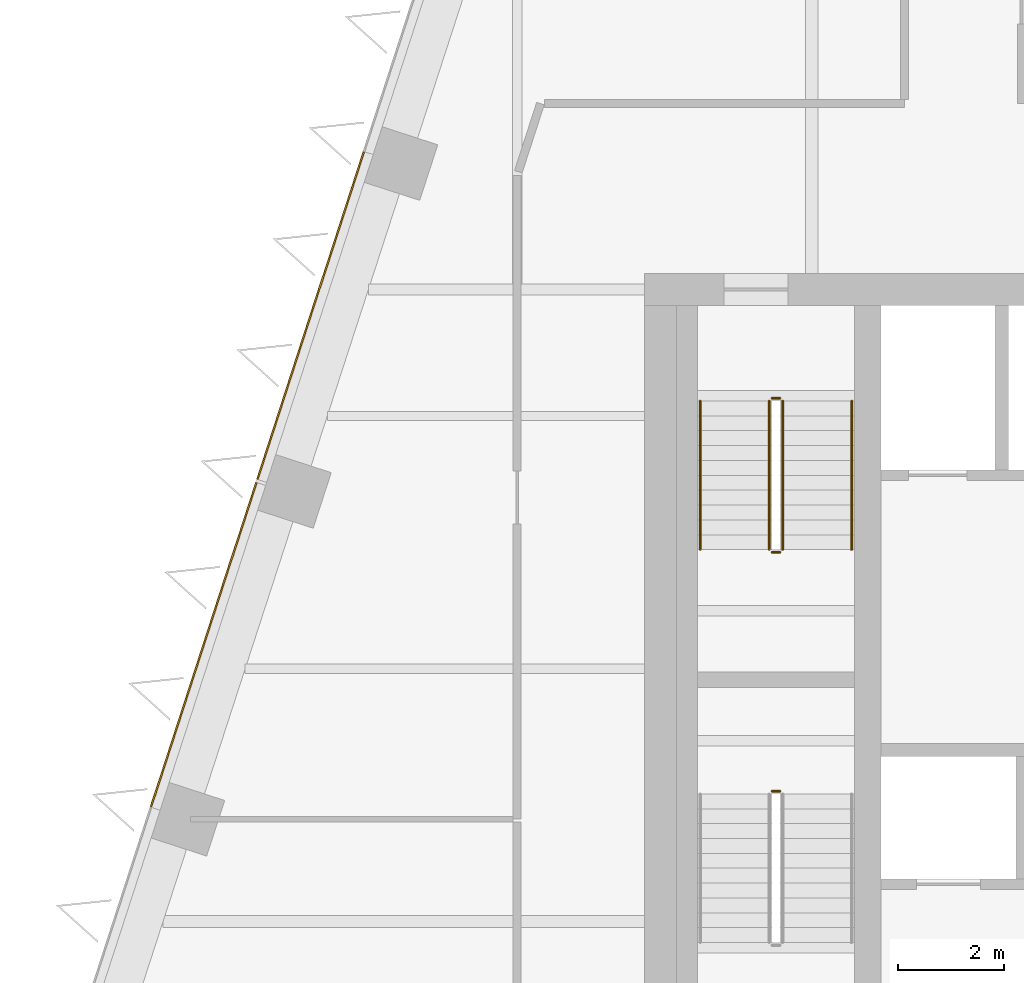
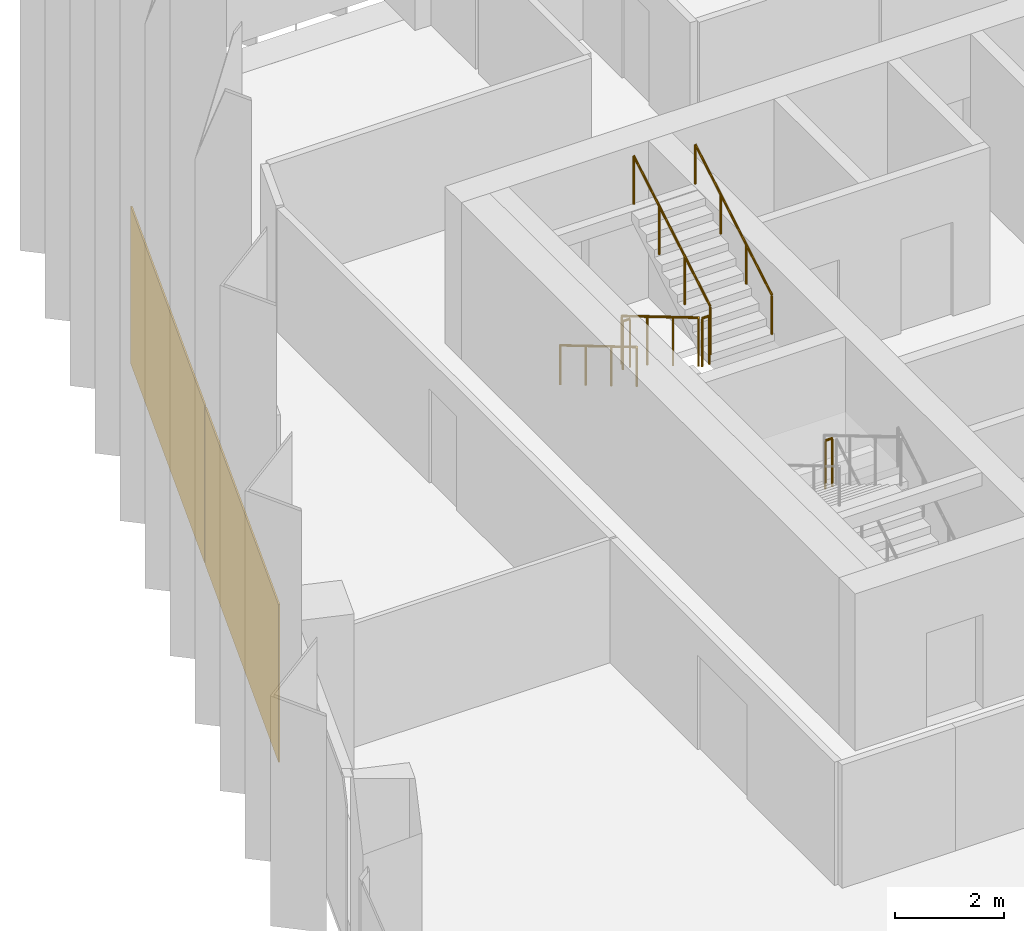
# One storey, part 14 of 18: 7 railings, 2 coverings, 1 element without a shape of its own.
"""IFC4 building model written with IfcOpenShell, lengths in metres."""

import ifcopenshell
import ifcopenshell.guid

model = None  # the IFC model being written
_history = None  # IfcOwnerHistory: only IFC2X3 demands one
_inside = {}  # id of a spatial element -> (the spatial element, [elements in it])
_under = {}  # id of a project, library or spatial element -> (it, [spatial elements below it])
_declared = {}  # id of a project -> (the project, [libraries it declares])
_typed = {}  # id of a type object -> (the type object, [elements of that type])
_made_of = {}  # id of a material, layer set ... -> (it, [elements and type objects made of it])


def new_model(schema):
    """Start an empty IFC model of exactly this schema.

    Asked for "IFC4X3", IfcOpenShell would pick the latest addendum, in which some entities
    have other attributes; the version numbers below select the first issue.
    IFC2X3 requires an IfcOwnerHistory on every rooted entity: one is made here for all.
    """
    global model, _history
    if schema == "IFC4X3":
        model = ifcopenshell.file(schema_version=(4, 3, 0, 0))
    else:
        model = ifcopenshell.file(schema=schema)
    _inside.clear()
    _under.clear()
    _declared.clear()
    _typed.clear()
    _made_of.clear()
    _history = None
    if model.schema == "IFC2X3":
        org = make("IfcOrganization", Name="unknown")
        user = make(
            "IfcPersonAndOrganization",
            ThePerson=make("IfcPerson", FamilyName="unknown"),
            TheOrganization=org,
        )
        app = make(
            "IfcApplication",
            ApplicationDeveloper=org,
            Version="unknown",
            ApplicationFullName="unknown",
            ApplicationIdentifier="unknown",
        )
        _history = make(
            "IfcOwnerHistory",
            OwningUser=user,
            OwningApplication=app,
            ChangeAction="ADDED",
            CreationDate=0,
        )
    return model


def make(cls, **values):
    """One entity of the class cls with the attributes given. An attribute that is None is left unset."""
    return model.create_entity(
        cls, **{name: value for name, value in values.items() if value is not None}
    )


def rooted(cls, **values):
    """An entity with a GlobalId (a new one), such as an element, a storey or a relation."""
    return make(cls, GlobalId=ifcopenshell.guid.new(), OwnerHistory=_history, **values)


def si_unit(unit_type, name, prefix=None):
    """IfcSIUnit, for example si_unit("LENGTHUNIT", "METRE", prefix="MILLI")."""
    return make("IfcSIUnit", UnitType=unit_type, Prefix=prefix, Name=name)


def assignment(units):
    """IfcUnitAssignment: the units of a project."""
    return None if units is None else make("IfcUnitAssignment", Units=units)


def point(xyz):
    """IfcCartesianPoint."""
    return None if xyz is None else make("IfcCartesianPoint", Coordinates=xyz)


def direction(xyz):
    """IfcDirection."""
    return None if xyz is None else make("IfcDirection", DirectionRatios=xyz)


def frame(location, z_axis=None, x_axis=None):
    """IfcAxis2Placement3D, a coordinate frame: its origin and axes. An axis left out is left unset."""
    return make(
        "IfcAxis2Placement3D",
        Location=point(location),
        Axis=direction(z_axis),
        RefDirection=direction(x_axis),
    )


def frame_2d(location, x_axis=None):
    """IfcAxis2Placement2D, a coordinate frame in the plane: its origin and x axis."""
    return make(
        "IfcAxis2Placement2D", Location=point(location), RefDirection=direction(x_axis)
    )


def origin():
    """The frame at (0, 0, 0) with its axes left unset."""
    return frame((0.0, 0.0, 0.0))


def origin_2d():
    """The frame at (0, 0) in the plane with its x axis left unset."""
    return frame_2d((0.0, 0.0))


def place(relative_to, where):
    """IfcLocalPlacement: puts the frame where relative to a parent placement (None: the world)."""
    return make(
        "IfcLocalPlacement", PlacementRelTo=relative_to, RelativePlacement=where
    )


def context(
    kind, dimensions, precision=None, world=None, true_north=None, identifier=None
):
    """IfcGeometricRepresentationContext, for example the 3D "Model" context."""
    return make(
        "IfcGeometricRepresentationContext",
        ContextIdentifier=identifier,
        ContextType=kind,
        CoordinateSpaceDimension=dimensions,
        Precision=precision,
        WorldCoordinateSystem=world,
        TrueNorth=true_north,
    )


def subcontext(parent, identifier, kind, view, scale=None):
    """IfcGeometricRepresentationSubContext, for example "Body" below "Model"."""
    return make(
        "IfcGeometricRepresentationSubContext",
        ContextIdentifier=identifier,
        ContextType=kind,
        ParentContext=parent,
        TargetScale=scale,
        TargetView=view,
    )


def project(units=None, contexts=None):
    """IfcProject with its units and contexts."""
    return rooted(
        "IfcProject",
        Name="project",
        RepresentationContexts=contexts,
        UnitsInContext=assignment(units),
    )


def spatial(cls, under=None, at=None, **own):
    """A site, building, storey or space (cls), placed at a placement, below another one or the project."""
    s = rooted(cls, ObjectPlacement=at, **own)
    if under is not None:
        _under.setdefault(under.id(), (under, []))[1].append(s)
    return s


def profile(cls, at=None, kind="AREA", **sizes):
    """A parametric profile (cls). Its sizes go by their IFC names, for example OverallWidth=200.0."""
    return make(cls, ProfileType=kind, Position=at, **sizes)


def rectangle(**sizes):
    """IfcRectangleProfileDef."""
    return profile("IfcRectangleProfileDef", **sizes)


def circle(**sizes):
    """IfcCircleProfileDef."""
    return profile("IfcCircleProfileDef", **sizes)


def extrude(swept, where, along, depth):
    """IfcExtrudedAreaSolid: the profile swept, set in the frame where, extruded along a direction by depth."""
    return make(
        "IfcExtrudedAreaSolid",
        SweptArea=swept,
        Position=where,
        ExtrudedDirection=direction(along),
        Depth=depth,
    )


def shape(context_of_items, identifier, shape_type, items):
    """IfcShapeRepresentation: the items that make up one representation, for example the "Body"."""
    return make(
        "IfcShapeRepresentation",
        ContextOfItems=context_of_items,
        RepresentationIdentifier=identifier,
        RepresentationType=shape_type,
        Items=items,
    )


def material(Name=None, Category=None):
    """IfcMaterial."""
    return make("IfcMaterial", Name=Name, Category=Category)


def layer(
    of_material, thickness, ventilated=None, Name=None, Category=None, Priority=None
):
    """IfcMaterialLayer: one layer of a wall or slab, of a material (None: an air gap)."""
    return make(
        "IfcMaterialLayer",
        Material=of_material,
        LayerThickness=thickness,
        IsVentilated=ventilated,
        Name=Name,
        Category=Category,
        Priority=Priority,
    )


def layer_set(layers, Name=None):
    """IfcMaterialLayerSet."""
    return make("IfcMaterialLayerSet", MaterialLayers=layers, LayerSetName=Name)


def made_of(thing, what):
    """Note that an element or type object is made of a material, layer set ...; save() writes the relation."""
    if what is not None:
        _made_of.setdefault(what.id(), (what, []))[1].append(thing)
    return thing


def type_object(cls, material=None, **own):
    """A type object (cls), such as IfcWallType, which elements share."""
    return made_of(rooted(cls, **own), material)


def element(
    cls,
    number,
    at=None,
    inside=None,
    cuts=None,
    type_object=None,
    material=None,
    context=None,
    identifier="Body",
    shape_type=None,
    held_by="IfcProductDefinitionShape",
    body=None,
    shapes=None,
    **own,
):
    """One element of the class cls, such as IfcWall. Its Tag is "e" and its number.

    at: its placement. inside: the storey or other place that contains it. cuts: it is an
    opening in that element (IfcRelVoidsElement). A single representation is given by context,
    identifier, shape_type and body (its items); several are given by shapes. held_by: the class
    of the entity that holds the representations. save() writes the other relations.
    """
    e = rooted(cls, Tag="e%d" % number, ObjectPlacement=at, **own)
    if body is not None:
        shapes = [shape(context, identifier, shape_type, body)]
    if shapes is not None:
        e.Representation = make(held_by, Representations=shapes)
    if inside is not None:
        _inside.setdefault(inside.id(), (inside, []))[1].append(e)
    if cuts is not None:
        rooted(
            "IfcRelVoidsElement", RelatingBuildingElement=cuts, RelatedOpeningElement=e
        )
    if type_object is not None:
        _typed.setdefault(type_object.id(), (type_object, []))[1].append(e)
    return made_of(e, material)


def aggregate(whole, parts):
    """IfcRelAggregates: a whole, such as a stair, and the parts it consists of."""
    return rooted("IfcRelAggregates", RelatingObject=whole, RelatedObjects=parts)


def save(model, path):
    """Write the relations noted so far, then the file.

    IfcRelAggregates (storeys below a building ...), IfcRelContainedInSpatialStructure (elements
    in a storey), IfcRelDefinesByType, IfcRelAssociatesMaterial and IfcRelDeclares: one each for
    every whole, place, type object, material and project.
    """
    for whole, parts in _under.values():
        aggregate(whole, parts)
    for where, things in _inside.values():
        rooted(
            "IfcRelContainedInSpatialStructure",
            RelatedElements=things,
            RelatingStructure=where,
        )
    for kind, things in _typed.values():
        rooted("IfcRelDefinesByType", RelatedObjects=things, RelatingType=kind)
    for what, things in _made_of.values():
        rooted("IfcRelAssociatesMaterial", RelatedObjects=things, RelatingMaterial=what)
    for by, libraries in _declared.values():
        rooted("IfcRelDeclares", RelatingContext=by, RelatedDefinitions=libraries)
    model.write(path)


model = new_model("IFC4")

# Units and contexts
model_context = context("Model", 3, precision=1e-05, world=origin(), true_north=direction((0.0, 1.0)))
body_context = subcontext(model_context, "Body", "Model", "MODEL_VIEW")
ifc_project = project(units=[si_unit("LENGTHUNIT", "METRE"), si_unit("AREAUNIT", "SQUARE_METRE"), si_unit("VOLUMEUNIT", "CUBIC_METRE"), si_unit("PLANEANGLEUNIT", "RADIAN"), si_unit("MASSUNIT", "GRAM", prefix="KILO")], contexts=[model_context])

# Site, building, storey
site_placement = place(None, origin())
site = spatial("IfcSite", under=ifc_project, at=site_placement, CompositionType="ELEMENT")
building_placement = place(site_placement, origin())
building = spatial("IfcBuilding", under=site, at=building_placement, Name="Isthmus Gate Tower", CompositionType="ELEMENT")
storey_placement = place(building_placement, frame((0.0, 0.0, 238.199951171875)))
storey = spatial("IfcBuildingStorey", under=building, at=storey_placement, Name="L60", CompositionType="ELEMENT", Elevation=238.199951171875)

# Curtain wall, coverings
ifc_material_1 = material(Name="Aluminium, pale champagne anodised", Category="aluminium")
ifc_layer_1 = layer(ifc_material_1, 0.199951171875)
ifc_layer_set_1 = layer_set([ifc_layer_1], Name="CW-1 UNITISED CURTAIN WALL 200 DEEP")
curtain_wall_type = type_object("IfcCurtainWallType", Name="CW-1 UNITISED CURTAIN WALL 200 DEEP", PredefinedType="NOTDEFINED", material=ifc_layer_set_1)
curtain_wall_placement = place(storey_placement, origin())
curtain_wall = element("IfcCurtainWall", 1, at=curtain_wall_placement, inside=storey, type_object=curtain_wall_type, Name="CW-1 NW L60", PredefinedType="NOTDEFINED")
ifc_material_2 = material(Name="Aluminium composite panel, pale champagne anodised", Category="aluminium")
ifc_layer_2 = layer(ifc_material_2, 0.031982421875)
ifc_layer_set_2 = layer_set([ifc_layer_2], Name="CW-1 PALE METAL PANEL 32")
covering_type = type_object("IfcCoveringType", Name="CW-1 PALE METAL PANEL 32", PredefinedType="CLADDING", material=ifc_layer_set_2)
covering_1_placement = place(storey_placement, frame((-21.288330078125, 14.210693359375, 0.0), z_axis=(0.0, 0.0, 1.0), x_axis=(-0.309016994375, -0.951056516295, 0.0)))
covering_1 = element("IfcCovering", 2, at=covering_1_placement, type_object=covering_type, Name="CW-1 pale metal panel", PredefinedType="CLADDING", context=body_context, shape_type="SweptSolid", body=[
    extrude(rectangle(XDim=6.491943359375, YDim=0.031982421875, at=origin_2d()), origin(), (0.0, 0.0, 1.0), 3.52001953125),
])
covering_2_placement = place(storey_placement, frame((-23.3037109375, 8.0078125, 0.0), z_axis=(0.0, 0.0, 1.0), x_axis=(-0.309016994375, -0.951056516295, 0.0)))
covering_2 = element("IfcCovering", 3, at=covering_2_placement, type_object=covering_type, Name="CW-1 pale metal panel", PredefinedType="CLADDING", context=body_context, shape_type="SweptSolid", body=[
    extrude(rectangle(XDim=6.431884765625, YDim=0.031982421875, at=origin_2d()), origin(), (0.0, 0.0, 1.0), 3.52001953125),
])
aggregate(curtain_wall, [covering_1, covering_2])

# Railings
ifc_material_3 = material(Name="Stainless steel balustrade", Category="steel")
railing_type_1 = type_object("IfcRailingType", Name="STAIR GUARD 1100", PredefinedType="GUARDRAIL", material=ifc_material_3)
railing_1_placement = place(storey_placement, frame((-12.64990234375, 12.60009765625, 0.166015625)))
element("IfcRailing", 4, at=railing_1_placement, inside=storey, type_object=railing_type_1, Name="L60 ST1 stair guard 1", PredefinedType="GUARDRAIL", context=body_context, shape_type="SweptSolid", body=[
    extrude(circle(Radius=0.02392578125, at=origin_2d()), frame((0.0, 0.0, 1.076171875), z_axis=(0.0, -0.860339051648, 0.50972219513), x_axis=(1.0, 0.0, 0.0)), (0.0, 0.0, 1.0), 3.254638671875),
    extrude(circle(Radius=0.02099609375, at=origin_2d()), origin(), (0.0, 0.0, 1.0), 1.052001953125),
    extrude(circle(Radius=0.02099609375, at=origin_2d()), frame((0.0, -0.933349609375, 0.552978515625)), (0.0, 0.0, 1.0), 1.052001953125),
    extrude(circle(Radius=0.02099609375, at=origin_2d()), frame((0.0, -1.86669921875, 1.10595703125)), (0.0, 0.0, 1.0), 1.052001953125),
    extrude(circle(Radius=0.02099609375, at=origin_2d()), frame((0.0, -2.800048828125, 1.658935546875)), (0.0, 0.0, 1.0), 1.052001953125),
])
railing_2_placement = place(storey_placement, frame((-12.60009765625, 9.75, 1.824951171875)))
element("IfcRailing", 5, at=railing_2_placement, inside=storey, type_object=railing_type_1, Name="L60 ST1 stair guard 2", PredefinedType="GUARDRAIL", context=body_context, shape_type="SweptSolid", body=[
    extrude(circle(Radius=0.02392578125, at=origin_2d()), frame((0.0, 0.0, 1.076171875), z_axis=(1.0, 0.0, 0.0), x_axis=(0.0, 1.0, 0.0)), (0.0, 0.0, 1.0), 0.150146484375),
    extrude(circle(Radius=0.02099609375, at=origin_2d()), origin(), (0.0, 0.0, 1.0), 1.052001953125),
    extrude(circle(Radius=0.02099609375, at=origin_2d()), frame((0.150146484375, 0.0, 0.0)), (0.0, 0.0, 1.0), 1.052001953125),
])
railing_3_placement = place(storey_placement, frame((-12.39990234375, 9.800048828125, 1.990966796875)))
element("IfcRailing", 6, at=railing_3_placement, inside=storey, type_object=railing_type_1, Name="L60 ST1 stair guard 3", PredefinedType="GUARDRAIL", context=body_context, shape_type="SweptSolid", body=[
    extrude(circle(Radius=0.02392578125, at=origin_2d()), frame((0.0, 0.0, 1.076171875), z_axis=(0.0, 0.860306154799, 0.50977771628), x_axis=(-1.0, 0.0, 0.0)), (0.0, 0.0, 1.0), 3.254638671875),
    extrude(circle(Radius=0.02099609375, at=origin_2d()), origin(), (0.0, 0.0, 1.0), 1.052001953125),
    extrude(circle(Radius=0.02099609375, at=origin_2d()), frame((0.0, 0.933349609375, 0.552978515625)), (0.0, 0.0, 1.0), 1.052001953125),
    extrude(circle(Radius=0.02099609375, at=origin_2d()), frame((0.0, 1.86669921875, 1.106201171875)), (0.0, 0.0, 1.0), 1.052001953125),
    extrude(circle(Radius=0.02099609375, at=origin_2d()), frame((0.0, 2.800048828125, 1.6591796875)), (0.0, 0.0, 1.0), 1.052001953125),
])
railing_4_placement = place(storey_placement, frame((-12.60009765625, 12.64990234375, 0.0)))
element("IfcRailing", 7, at=railing_4_placement, inside=storey, type_object=railing_type_1, Name="L60 ST1 stair guard 4", PredefinedType="GUARDRAIL", context=body_context, shape_type="SweptSolid", body=[
    extrude(circle(Radius=0.02392578125, at=origin_2d()), frame((0.0, 0.0, 1.076171875), z_axis=(1.0, 0.0, 0.0), x_axis=(0.0, 1.0, 0.0)), (0.0, 0.0, 1.0), 0.150146484375),
    extrude(circle(Radius=0.02099609375, at=origin_2d()), origin(), (0.0, 0.0, 1.0), 1.052001953125),
    extrude(circle(Radius=0.02099609375, at=origin_2d()), frame((0.150146484375, 0.0, 0.0)), (0.0, 0.0, 1.0), 1.052001953125),
])
railing_5_placement = place(storey_placement, frame((-12.449951171875, 5.25, 1.824951171875)))
element("IfcRailing", 8, at=railing_5_placement, inside=storey, type_object=railing_type_1, Name="L60 ST7 stair guard 2", PredefinedType="GUARDRAIL", context=body_context, shape_type="SweptSolid", body=[
    extrude(circle(Radius=0.02392578125, at=origin_2d()), frame((0.0, 0.0, 1.076171875), z_axis=(-1.0, 0.0, 0.0), x_axis=(0.0, -1.0, 0.0)), (0.0, 0.0, 1.0), 0.150146484375),
    extrude(circle(Radius=0.02099609375, at=origin_2d()), origin(), (0.0, 0.0, 1.0), 1.052001953125),
    extrude(circle(Radius=0.02099609375, at=origin_2d()), frame((-0.150146484375, 0.0, 0.0)), (0.0, 0.0, 1.0), 1.052001953125),
])
ifc_material_4 = material(Name="Stainless steel handrail", Category="steel")
railing_type_2 = type_object("IfcRailingType", Name="STAIR HANDRAIL 900", PredefinedType="HANDRAIL", material=ifc_material_4)
railing_6_placement = place(storey_placement, frame((-13.949951171875, 12.60009765625, 0.166015625)))
element("IfcRailing", 9, at=railing_6_placement, inside=storey, type_object=railing_type_2, Name="L60 ST1 stair handrail 1", PredefinedType="HANDRAIL", context=body_context, shape_type="SweptSolid", body=[
    extrude(circle(Radius=0.02392578125, at=origin_2d()), frame((0.0, 0.0, 0.8759765625), z_axis=(0.0, -0.860339051648, 0.50972219513), x_axis=(1.0, 0.0, 0.0)), (0.0, 0.0, 1.0), 3.254638671875),
    extrude(circle(Radius=0.02099609375, at=origin_2d()), origin(), (0.0, 0.0, 1.0), 0.851806640625),
    extrude(circle(Radius=0.02099609375, at=origin_2d()), frame((0.0, -0.933349609375, 0.552978515625)), (0.0, 0.0, 1.0), 0.851806640625),
    extrude(circle(Radius=0.02099609375, at=origin_2d()), frame((0.0, -1.86669921875, 1.10595703125)), (0.0, 0.0, 1.0), 0.851806640625),
    extrude(circle(Radius=0.02099609375, at=origin_2d()), frame((0.0, -2.800048828125, 1.658935546875)), (0.0, 0.0, 1.0), 0.851806640625),
])
railing_7_placement = place(storey_placement, frame((-11.10009765625, 9.800048828125, 1.990966796875)))
element("IfcRailing", 10, at=railing_7_placement, inside=storey, type_object=railing_type_2, Name="L60 ST1 stair handrail 2", PredefinedType="HANDRAIL", context=body_context, shape_type="SweptSolid", body=[
    extrude(circle(Radius=0.02392578125, at=origin_2d()), frame((0.0, 0.0, 0.8759765625), z_axis=(0.0, 0.860306154799, 0.50977771628), x_axis=(-1.0, 0.0, 0.0)), (0.0, 0.0, 1.0), 3.254638671875),
    extrude(circle(Radius=0.02099609375, at=origin_2d()), origin(), (0.0, 0.0, 1.0), 0.851806640625),
    extrude(circle(Radius=0.02099609375, at=origin_2d()), frame((0.0, 0.933349609375, 0.552978515625)), (0.0, 0.0, 1.0), 0.851806640625),
    extrude(circle(Radius=0.02099609375, at=origin_2d()), frame((0.0, 1.86669921875, 1.106201171875)), (0.0, 0.0, 1.0), 0.851806640625),
    extrude(circle(Radius=0.02099609375, at=origin_2d()), frame((0.0, 2.800048828125, 1.6591796875)), (0.0, 0.0, 1.0), 0.851806640625),
])

save(model, "model.ifc")
